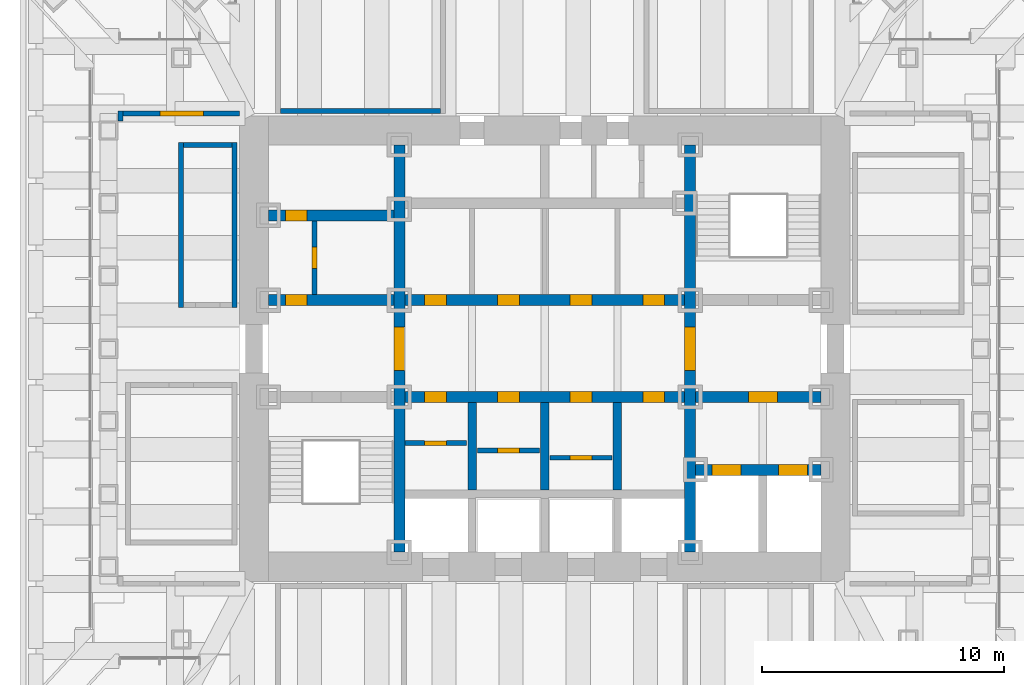
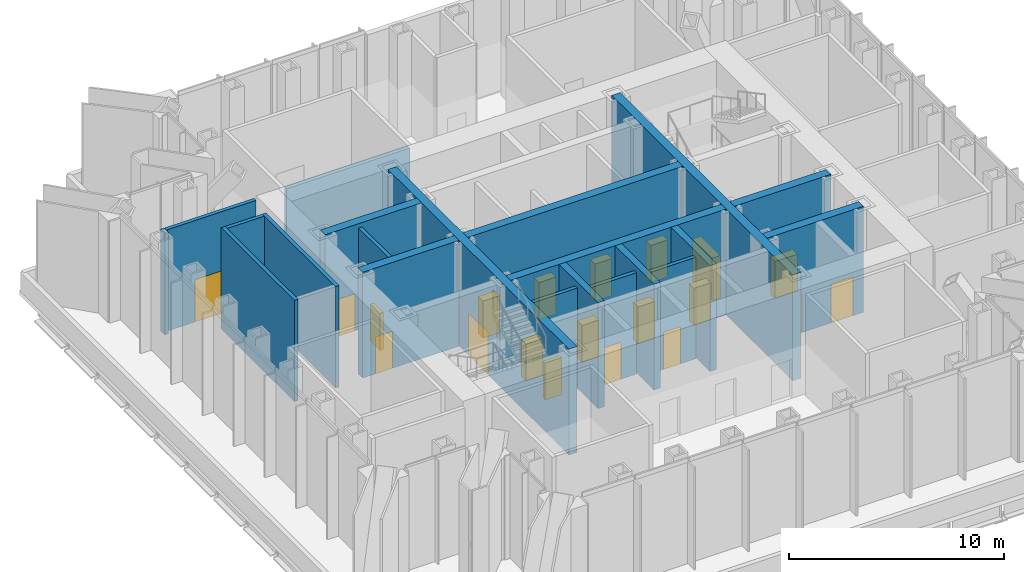
# One storey, part 9 of 13: 21 walls, 20 doors, 20 openings.
"""IFC4 building model written with IfcOpenShell, lengths in metres."""

from ifc_helpers import new_model, si_unit, direction, frame, frame_2d, origin, place, context, subcontext, project, spatial, rectangle, extrude, material, layer, layer_set, type_object, element, fill, save


model = new_model("IFC4")

# Units and contexts
model_context = context("Model", 3, precision=1e-05, world=origin(), true_north=direction((0.0, 1.0)))
body_context = subcontext(model_context, "Body", "Model", "MODEL_VIEW")
ifc_project = project(units=[si_unit("LENGTHUNIT", "METRE"), si_unit("AREAUNIT", "SQUARE_METRE"), si_unit("VOLUMEUNIT", "CUBIC_METRE"), si_unit("PLANEANGLEUNIT", "RADIAN"), si_unit("MASSUNIT", "GRAM", prefix="KILO")], contexts=[model_context])

# Site, building, storey
site_placement = place(None, origin())
site = spatial("IfcSite", under=ifc_project, at=site_placement, CompositionType="ELEMENT")
building_placement = place(site_placement, origin())
building = spatial("IfcBuilding", under=site, at=building_placement, Name="Daluyong Arena Tower", CompositionType="ELEMENT")
storey_placement = place(building_placement, frame((0.0, 0.0, 279.699951171875)))
storey = spatial("IfcBuildingStorey", under=building, at=storey_placement, Name="L63", CompositionType="ELEMENT", Elevation=279.699951171875)

# Wall, opening, door
ifc_material_1 = material(Name="Concrete fc' 45 MPa", Category="concrete")
ifc_layer_1 = layer(ifc_material_1, 0.449951171875)
ifc_layer_set_1 = layer_set([ifc_layer_1], Name="Concrete fc' 45 MPa")
wall_type_1 = type_object("IfcWallType", Name="Core inner wall 450", PredefinedType="SHEAR", material=ifc_layer_set_1)
wall_1_placement = place(storey_placement, frame((50.0, 71.60009765625, 0.0), z_axis=(0.0, 0.0, 1.0), x_axis=(0.0, 1.0, 0.0)))
wall_1 = element("IfcWall", 1, at=wall_1_placement, inside=storey, type_object=wall_type_1, Name="core inner wall at L63", PredefinedType="SHEAR", context=body_context, shape_type="SweptSolid", body=[
    extrude(rectangle(XDim=16.7998046875, YDim=0.449951171875, at=frame_2d((8.39990234375, 0.0))), origin(), (0.0, 0.0, 1.0), 6.0),
])
opening_1_placement = place(wall_1_placement, frame((7.5, 0.0, 0.0)))
opening_1 = element("IfcOpeningElement", 2, at=opening_1_placement, cuts=wall_1, Name="Opening 63023", PredefinedType="OPENING", context=body_context, shape_type="SweptSolid", body=[
    extrude(rectangle(XDim=1.800048828125, YDim=2.39990234375, at=frame_2d((0.89990234375, 1.199951171875))), frame((0.0, 0.23486328125, 0.0), z_axis=(0.0, -1.0, 0.0), x_axis=(1.0, 0.0, 0.0)), (0.0, 0.0, 1.0), 0.469970703125),
])
ifc_material_2 = material(Name="Steel door, fire rated", Category="steel")
door_type_1 = type_object("IfcDoorType", Name="Lift lobby opening door 1800", OperationType="DOUBLE_DOOR_SINGLE_SWING", PredefinedType="DOOR", material=ifc_material_2)
door_1_placement = place(opening_1_placement, origin())
door_1 = element("IfcDoor", 3, at=door_1_placement, inside=storey, type_object=door_type_1, Name="lift lobby door west 63023", OperationType="DOUBLE_DOOR_SINGLE_SWING", OverallHeight=2.39990234375, OverallWidth=1.800048828125, PredefinedType="DOOR", context=body_context, shape_type="SweptSolid", body=[
    extrude(rectangle(XDim=1.800048828125, YDim=2.39990234375, at=frame_2d((0.89990234375, 1.199951171875))), frame((0.0, 0.224609375, 0.0), z_axis=(0.0, -1.0, 0.0), x_axis=(1.0, 0.0, 0.0)), (0.0, 0.0, 1.0), 0.449462890625),
])
fill(opening_1, door_1)

wall_2_placement = place(storey_placement, frame((62.0, 71.60009765625, 0.0), z_axis=(0.0, 0.0, 1.0), x_axis=(0.0, 1.0, 0.0)))
wall_2 = element("IfcWall", 4, at=wall_2_placement, inside=storey, type_object=wall_type_1, Name="core inner wall at L63", PredefinedType="SHEAR", context=body_context, shape_type="SweptSolid", body=[
    extrude(rectangle(XDim=16.7998046875, YDim=0.449951171875, at=frame_2d((8.39990234375, 0.0))), origin(), (0.0, 0.0, 1.0), 6.0),
])
opening_2_placement = place(wall_2_placement, frame((7.5, 0.0, 0.0)))
opening_2 = element("IfcOpeningElement", 5, at=opening_2_placement, cuts=wall_2, Name="Opening 63024", PredefinedType="OPENING", context=body_context, shape_type="SweptSolid", body=[
    extrude(rectangle(XDim=1.800048828125, YDim=2.39990234375, at=frame_2d((0.89990234375, 1.199951171875))), frame((0.0, 0.23486328125, 0.0), z_axis=(0.0, -1.0, 0.0), x_axis=(1.0, 0.0, 0.0)), (0.0, 0.0, 1.0), 0.469970703125),
])
door_2_placement = place(opening_2_placement, origin())
door_2 = element("IfcDoor", 6, at=door_2_placement, inside=storey, type_object=door_type_1, Name="lift lobby door east 63024", OperationType="DOUBLE_DOOR_SINGLE_SWING", OverallHeight=2.39990234375, OverallWidth=1.800048828125, PredefinedType="DOOR", context=body_context, shape_type="SweptSolid", body=[
    extrude(rectangle(XDim=1.800048828125, YDim=2.39990234375, at=frame_2d((0.89990234375, 1.199951171875))), frame((0.0, 0.224609375, 0.0), z_axis=(0.0, -1.0, 0.0), x_axis=(1.0, 0.0, 0.0)), (0.0, 0.0, 1.0), 0.449462890625),
])
fill(opening_2, door_2)

wall_3_placement = place(storey_placement, frame((44.60009765625, 82.0, 0.0), z_axis=(0.0, 0.0, 1.0), x_axis=(1.0, 0.0, 0.0)))
wall_3 = element("IfcWall", 7, at=wall_3_placement, inside=storey, type_object=wall_type_1, Name="core inner wall at L63", PredefinedType="SHEAR", context=body_context, shape_type="SweptSolid", body=[
    extrude(rectangle(XDim=5.1748046875, YDim=0.449951171875, at=frame_2d((2.58740234375, 0.0))), origin(), (0.0, 0.0, 1.0), 6.0),
])
opening_3_placement = place(wall_3_placement, frame((0.699951171875, 0.0, 0.0)))
opening_3 = element("IfcOpeningElement", 8, at=opening_3_placement, cuts=wall_3, Name="Opening 63001", PredefinedType="OPENING", context=body_context, shape_type="SweptSolid", body=[
    extrude(rectangle(XDim=0.89990234375, YDim=2.10009765625, at=frame_2d((0.449951171875, 1.050048828125))), frame((0.0, 0.23486328125, 0.0), z_axis=(0.0, -1.0, 0.0), x_axis=(1.0, 0.0, 0.0)), (0.0, 0.0, 1.0), 0.469970703125),
])
ifc_material_3 = material(Name="Steel door, fire rated", Category="steel")
door_type_2 = type_object("IfcDoorType", Name="Core room door 900", OperationType="SINGLE_SWING_LEFT", PredefinedType="DOOR", material=ifc_material_3)
door_3_placement = place(opening_3_placement, origin())
door_3 = element("IfcDoor", 9, at=door_3_placement, inside=storey, type_object=door_type_2, Name="toilet lobby door 63001", OperationType="SINGLE_SWING_LEFT", OverallHeight=2.10009765625, OverallWidth=0.89990234375, PredefinedType="DOOR", context=body_context, shape_type="SweptSolid", body=[
    extrude(rectangle(XDim=0.89990234375, YDim=2.10009765625, at=frame_2d((0.449951171875, 1.050048828125))), frame((0.0, 0.224609375, 0.0), z_axis=(0.0, -1.0, 0.0), x_axis=(1.0, 0.0, 0.0)), (0.0, 0.0, 1.0), 0.449462890625),
])
fill(opening_3, door_3)

wall_4_placement = place(storey_placement, frame((44.60009765625, 85.5, 0.0), z_axis=(0.0, 0.0, 1.0), x_axis=(1.0, 0.0, 0.0)))
wall_4 = element("IfcWall", 10, at=wall_4_placement, inside=storey, type_object=wall_type_1, Name="core inner wall at L63", PredefinedType="SHEAR", context=body_context, shape_type="SweptSolid", body=[
    extrude(rectangle(XDim=5.1748046875, YDim=0.449951171875, at=frame_2d((2.58740234375, 0.0))), origin(), (0.0, 0.0, 1.0), 6.0),
])
opening_4_placement = place(wall_4_placement, frame((0.699951171875, 0.0, 0.0)))
opening_4 = element("IfcOpeningElement", 11, at=opening_4_placement, cuts=wall_4, Name="Opening 63003", PredefinedType="OPENING", context=body_context, shape_type="SweptSolid", body=[
    extrude(rectangle(XDim=0.89990234375, YDim=2.10009765625, at=frame_2d((0.449951171875, 1.050048828125))), frame((0.0, 0.23486328125, 0.0), z_axis=(0.0, -1.0, 0.0), x_axis=(1.0, 0.0, 0.0)), (0.0, 0.0, 1.0), 0.469970703125),
])
ifc_material_4 = material(Name="Timber door", Category="wood")
door_type_3 = type_object("IfcDoorType", Name="Toilet door 900", OperationType="SINGLE_SWING_RIGHT", PredefinedType="DOOR", material=ifc_material_4)
door_4_placement = place(opening_4_placement, origin())
door_4 = element("IfcDoor", 12, at=door_4_placement, inside=storey, type_object=door_type_3, Name="female toilet door 63003", OperationType="SINGLE_SWING_RIGHT", OverallHeight=2.10009765625, OverallWidth=0.89990234375, PredefinedType="DOOR", context=body_context, shape_type="SweptSolid", body=[
    extrude(rectangle(XDim=0.89990234375, YDim=2.10009765625, at=frame_2d((0.449951171875, 1.050048828125))), frame((0.0, 0.224609375, 0.0), z_axis=(0.0, -1.0, 0.0), x_axis=(1.0, 0.0, 0.0)), (0.0, 0.0, 1.0), 0.449462890625),
])
fill(opening_4, door_4)

# Wall, openings, doors
wall_5_placement = place(storey_placement, frame((62.22509765625, 75.0, 0.0), z_axis=(0.0, 0.0, 1.0), x_axis=(1.0, 0.0, 0.0)))
wall_5 = element("IfcWall", 13, at=wall_5_placement, inside=storey, type_object=wall_type_1, Name="core inner wall at L63", PredefinedType="SHEAR", context=body_context, shape_type="SweptSolid", body=[
    extrude(rectangle(XDim=5.1748046875, YDim=0.449951171875, at=frame_2d((2.58740234375, 0.0))), origin(), (0.0, 0.0, 1.0), 6.0),
])
opening_5_placement = place(wall_5_placement, frame((0.675048828125, 0.0, 0.0)))
opening_5 = element("IfcOpeningElement", 14, at=opening_5_placement, cuts=wall_5, Name="Opening 63030", PredefinedType="OPENING", context=body_context, shape_type="SweptSolid", body=[
    extrude(rectangle(XDim=1.199951171875, YDim=2.199951171875, at=frame_2d((0.60009765625, 1.10009765625))), frame((0.0, 0.23486328125, 0.0), z_axis=(0.0, -1.0, 0.0), x_axis=(1.0, 0.0, 0.0)), (0.0, 0.0, 1.0), 0.469970703125),
])
opening_6_placement = place(wall_5_placement, frame((3.425048828125, 0.0, 0.0)))
opening_6 = element("IfcOpeningElement", 15, at=opening_6_placement, cuts=wall_5, Name="Opening 63031", PredefinedType="OPENING", context=body_context, shape_type="SweptSolid", body=[
    extrude(rectangle(XDim=1.199951171875, YDim=2.199951171875, at=frame_2d((0.60009765625, 1.10009765625))), frame((0.0, 0.23486328125, 0.0), z_axis=(0.0, -1.0, 0.0), x_axis=(1.0, 0.0, 0.0)), (0.0, 0.0, 1.0), 0.469970703125),
])
ifc_material_5 = material(Name="Steel door, fire rated", Category="steel")
door_type_4 = type_object("IfcDoorType", Name="Firefighting lift landing door 1200", OperationType="SLIDING_TO_LEFT", PredefinedType="DOOR", material=ifc_material_5)
door_5_placement = place(opening_5_placement, origin())
door_5 = element("IfcDoor", 16, at=door_5_placement, inside=storey, type_object=door_type_4, Name="firefighting lift landing door F1 63030", OperationType="SLIDING_TO_LEFT", OverallHeight=2.199951171875, OverallWidth=1.199951171875, PredefinedType="DOOR", context=body_context, shape_type="SweptSolid", body=[
    extrude(rectangle(XDim=1.199951171875, YDim=2.199951171875, at=frame_2d((0.60009765625, 1.10009765625))), frame((0.0, 0.224609375, 0.0), z_axis=(0.0, -1.0, 0.0), x_axis=(1.0, 0.0, 0.0)), (0.0, 0.0, 1.0), 0.449462890625),
])
fill(opening_5, door_5)
door_6_placement = place(opening_6_placement, origin())
door_6 = element("IfcDoor", 17, at=door_6_placement, inside=storey, type_object=door_type_4, Name="firefighting lift landing door F2 63031", OperationType="SLIDING_TO_LEFT", OverallHeight=2.199951171875, OverallWidth=1.199951171875, PredefinedType="DOOR", context=body_context, shape_type="SweptSolid", body=[
    extrude(rectangle(XDim=1.199951171875, YDim=2.199951171875, at=frame_2d((0.60009765625, 1.10009765625))), frame((0.0, 0.224609375, 0.0), z_axis=(0.0, -1.0, 0.0), x_axis=(1.0, 0.0, 0.0)), (0.0, 0.0, 1.0), 0.449462890625),
])
fill(opening_6, door_6)

# Wall, opening, door
wall_6_placement = place(storey_placement, frame((62.22509765625, 78.0, 0.0), z_axis=(0.0, 0.0, 1.0), x_axis=(1.0, 0.0, 0.0)))
wall_6 = element("IfcWall", 18, at=wall_6_placement, inside=storey, type_object=wall_type_1, Name="core inner wall at L63", PredefinedType="SHEAR", context=body_context, shape_type="SweptSolid", body=[
    extrude(rectangle(XDim=5.1748046875, YDim=0.449951171875, at=frame_2d((2.58740234375, 0.0))), origin(), (0.0, 0.0, 1.0), 6.0),
])
opening_7_placement = place(wall_6_placement, frame((2.175048828125, 0.0, 0.0)))
opening_7 = element("IfcOpeningElement", 19, at=opening_7_placement, cuts=wall_6, Name="Opening 63025", PredefinedType="OPENING", context=body_context, shape_type="SweptSolid", body=[
    extrude(rectangle(XDim=1.199951171875, YDim=2.10009765625, at=frame_2d((0.60009765625, 1.050048828125))), frame((0.0, 0.23486328125, 0.0), z_axis=(0.0, -1.0, 0.0), x_axis=(1.0, 0.0, 0.0)), (0.0, 0.0, 1.0), 0.469970703125),
])
ifc_material_6 = material(Name="Steel door, fire rated", Category="steel")
door_type_5 = type_object("IfcDoorType", Name="Firefighting lobby door 1200", OperationType="SINGLE_SWING_RIGHT", PredefinedType="DOOR", material=ifc_material_6)
door_7_placement = place(opening_7_placement, origin())
door_7 = element("IfcDoor", 20, at=door_7_placement, inside=storey, type_object=door_type_5, Name="firefighting lobby door 63025", OperationType="SINGLE_SWING_RIGHT", OverallHeight=2.10009765625, OverallWidth=1.199951171875, PredefinedType="DOOR", context=body_context, shape_type="SweptSolid", body=[
    extrude(rectangle(XDim=1.199951171875, YDim=2.10009765625, at=frame_2d((0.60009765625, 1.050048828125))), frame((0.0, 0.224609375, 0.0), z_axis=(0.0, -1.0, 0.0), x_axis=(1.0, 0.0, 0.0)), (0.0, 0.0, 1.0), 0.449462890625),
])
fill(opening_7, door_7)

# Wall, openings, doors
wall_7_placement = place(storey_placement, frame((50.22509765625, 78.0, 0.0), z_axis=(0.0, 0.0, 1.0), x_axis=(1.0, 0.0, 0.0)))
wall_7 = element("IfcWall", 21, at=wall_7_placement, inside=storey, type_object=wall_type_1, Name="core inner wall at L63", PredefinedType="SHEAR", context=body_context, shape_type="SweptSolid", body=[
    extrude(rectangle(XDim=11.5498046875, YDim=0.449951171875, at=frame_2d((5.77490234375, 0.0))), origin(), (0.0, 0.0, 1.0), 6.0),
])
opening_8_placement = place(wall_7_placement, frame((0.824951171875, 0.0, 0.0)))
opening_8 = element("IfcOpeningElement", 22, at=opening_8_placement, cuts=wall_7, Name="Opening 63008", PredefinedType="OPENING", context=body_context, shape_type="SweptSolid", body=[
    extrude(rectangle(XDim=0.89990234375, YDim=2.10009765625, at=frame_2d((0.449951171875, 1.050048828125))), frame((0.0, 0.23486328125, 0.0), z_axis=(0.0, -1.0, 0.0), x_axis=(1.0, 0.0, 0.0)), (0.0, 0.0, 1.0), 0.469970703125),
])
opening_9_placement = place(wall_7_placement, frame((3.824951171875, 0.0, 0.0)))
opening_9 = element("IfcOpeningElement", 23, at=opening_9_placement, cuts=wall_7, Name="Opening 63010", PredefinedType="OPENING", context=body_context, shape_type="SweptSolid", body=[
    extrude(rectangle(XDim=0.89990234375, YDim=2.10009765625, at=frame_2d((0.449951171875, 1.050048828125))), frame((0.0, 0.23486328125, 0.0), z_axis=(0.0, -1.0, 0.0), x_axis=(1.0, 0.0, 0.0)), (0.0, 0.0, 1.0), 0.469970703125),
])
opening_10_placement = place(wall_7_placement, frame((6.824951171875, 0.0, 0.0)))
opening_10 = element("IfcOpeningElement", 24, at=opening_10_placement, cuts=wall_7, Name="Opening 63012", PredefinedType="OPENING", context=body_context, shape_type="SweptSolid", body=[
    extrude(rectangle(XDim=0.89990234375, YDim=2.10009765625, at=frame_2d((0.449951171875, 1.050048828125))), frame((0.0, 0.23486328125, 0.0), z_axis=(0.0, -1.0, 0.0), x_axis=(1.0, 0.0, 0.0)), (0.0, 0.0, 1.0), 0.469970703125),
])
opening_11_placement = place(wall_7_placement, frame((9.824951171875, 0.0, 0.0)))
opening_11 = element("IfcOpeningElement", 25, at=opening_11_placement, cuts=wall_7, Name="Opening 63014", PredefinedType="OPENING", context=body_context, shape_type="SweptSolid", body=[
    extrude(rectangle(XDim=0.89990234375, YDim=2.10009765625, at=frame_2d((0.449951171875, 1.050048828125))), frame((0.0, 0.23486328125, 0.0), z_axis=(0.0, -1.0, 0.0), x_axis=(1.0, 0.0, 0.0)), (0.0, 0.0, 1.0), 0.469970703125),
])
door_8_placement = place(opening_11_placement, origin())
door_8 = element("IfcDoor", 26, at=door_8_placement, inside=storey, type_object=door_type_2, Name="parcel room door 63014", OperationType="SINGLE_SWING_LEFT", OverallHeight=2.10009765625, OverallWidth=0.89990234375, PredefinedType="DOOR", context=body_context, shape_type="SweptSolid", body=[
    extrude(rectangle(XDim=0.89990234375, YDim=2.10009765625, at=frame_2d((0.449951171875, 1.050048828125))), frame((0.0, 0.224609375, 0.0), z_axis=(0.0, -1.0, 0.0), x_axis=(1.0, 0.0, 0.0)), (0.0, 0.0, 1.0), 0.449462890625),
])
fill(opening_11, door_8)
ifc_material_7 = material(Name="Steel door, fire rated", Category="steel")
door_type_6 = type_object("IfcDoorType", Name="Core store door 900", OperationType="SINGLE_SWING_LEFT", PredefinedType="DOOR", material=ifc_material_7)
door_9_placement = place(opening_8_placement, origin())
door_9 = element("IfcDoor", 27, at=door_9_placement, inside=storey, type_object=door_type_6, Name="cleaner's store door 63008", OperationType="SINGLE_SWING_LEFT", OverallHeight=2.10009765625, OverallWidth=0.89990234375, PredefinedType="DOOR", context=body_context, shape_type="SweptSolid", body=[
    extrude(rectangle(XDim=0.89990234375, YDim=2.10009765625, at=frame_2d((0.449951171875, 1.050048828125))), frame((0.0, 0.224609375, 0.0), z_axis=(0.0, -1.0, 0.0), x_axis=(1.0, 0.0, 0.0)), (0.0, 0.0, 1.0), 0.449462890625),
])
fill(opening_8, door_9)
door_10_placement = place(opening_9_placement, origin())
door_10 = element("IfcDoor", 28, at=door_10_placement, inside=storey, type_object=door_type_6, Name="stationery store door 63010", OperationType="SINGLE_SWING_LEFT", OverallHeight=2.10009765625, OverallWidth=0.89990234375, PredefinedType="DOOR", context=body_context, shape_type="SweptSolid", body=[
    extrude(rectangle(XDim=0.89990234375, YDim=2.10009765625, at=frame_2d((0.449951171875, 1.050048828125))), frame((0.0, 0.224609375, 0.0), z_axis=(0.0, -1.0, 0.0), x_axis=(1.0, 0.0, 0.0)), (0.0, 0.0, 1.0), 0.449462890625),
])
fill(opening_9, door_10)
door_11_placement = place(opening_10_placement, origin())
door_11 = element("IfcDoor", 29, at=door_11_placement, inside=storey, type_object=door_type_6, Name="tenant store door 63012", OperationType="SINGLE_SWING_LEFT", OverallHeight=2.10009765625, OverallWidth=0.89990234375, PredefinedType="DOOR", context=body_context, shape_type="SweptSolid", body=[
    extrude(rectangle(XDim=0.89990234375, YDim=2.10009765625, at=frame_2d((0.449951171875, 1.050048828125))), frame((0.0, 0.224609375, 0.0), z_axis=(0.0, -1.0, 0.0), x_axis=(1.0, 0.0, 0.0)), (0.0, 0.0, 1.0), 0.449462890625),
])
fill(opening_10, door_11)

wall_8_placement = place(storey_placement, frame((50.22509765625, 82.0, 0.0), z_axis=(0.0, 0.0, 1.0), x_axis=(1.0, 0.0, 0.0)))
wall_8 = element("IfcWall", 30, at=wall_8_placement, inside=storey, type_object=wall_type_1, Name="core inner wall at L63", PredefinedType="SHEAR", context=body_context, shape_type="SweptSolid", body=[
    extrude(rectangle(XDim=11.5498046875, YDim=0.449951171875, at=frame_2d((5.77490234375, 0.0))), origin(), (0.0, 0.0, 1.0), 6.0),
])
opening_12_placement = place(wall_8_placement, frame((0.824951171875, 0.0, 0.0)))
opening_12 = element("IfcOpeningElement", 31, at=opening_12_placement, cuts=wall_8, Name="Opening 63015", PredefinedType="OPENING", context=body_context, shape_type="SweptSolid", body=[
    extrude(rectangle(XDim=0.89990234375, YDim=2.10009765625, at=frame_2d((0.449951171875, 1.050048828125))), frame((0.0, 0.23486328125, 0.0), z_axis=(0.0, -1.0, 0.0), x_axis=(1.0, 0.0, 0.0)), (0.0, 0.0, 1.0), 0.469970703125),
])
opening_13_placement = place(wall_8_placement, frame((3.824951171875, 0.0, 0.0)))
opening_13 = element("IfcOpeningElement", 32, at=opening_13_placement, cuts=wall_8, Name="Opening 63016", PredefinedType="OPENING", context=body_context, shape_type="SweptSolid", body=[
    extrude(rectangle(XDim=0.89990234375, YDim=2.10009765625, at=frame_2d((0.449951171875, 1.050048828125))), frame((0.0, 0.23486328125, 0.0), z_axis=(0.0, -1.0, 0.0), x_axis=(1.0, 0.0, 0.0)), (0.0, 0.0, 1.0), 0.469970703125),
])
opening_14_placement = place(wall_8_placement, frame((6.824951171875, 0.0, 0.0)))
opening_14 = element("IfcOpeningElement", 33, at=opening_14_placement, cuts=wall_8, Name="Opening 63017", PredefinedType="OPENING", context=body_context, shape_type="SweptSolid", body=[
    extrude(rectangle(XDim=0.89990234375, YDim=2.10009765625, at=frame_2d((0.449951171875, 1.050048828125))), frame((0.0, 0.23486328125, 0.0), z_axis=(0.0, -1.0, 0.0), x_axis=(1.0, 0.0, 0.0)), (0.0, 0.0, 1.0), 0.469970703125),
])
opening_15_placement = place(wall_8_placement, frame((9.824951171875, 0.0, 0.0)))
opening_15 = element("IfcOpeningElement", 34, at=opening_15_placement, cuts=wall_8, Name="Opening 63018", PredefinedType="OPENING", context=body_context, shape_type="SweptSolid", body=[
    extrude(rectangle(XDim=0.89990234375, YDim=2.10009765625, at=frame_2d((0.449951171875, 1.050048828125))), frame((0.0, 0.23486328125, 0.0), z_axis=(0.0, -1.0, 0.0), x_axis=(1.0, 0.0, 0.0)), (0.0, 0.0, 1.0), 0.469970703125),
])
door_12_placement = place(opening_13_placement, origin())
door_12 = element("IfcDoor", 35, at=door_12_placement, inside=storey, type_object=door_type_2, Name="tea point door 63016", OperationType="SINGLE_SWING_LEFT", OverallHeight=2.10009765625, OverallWidth=0.89990234375, PredefinedType="DOOR", context=body_context, shape_type="SweptSolid", body=[
    extrude(rectangle(XDim=0.89990234375, YDim=2.10009765625, at=frame_2d((0.449951171875, 1.050048828125))), frame((0.0, 0.224609375, 0.0), z_axis=(0.0, -1.0, 0.0), x_axis=(1.0, 0.0, 0.0)), (0.0, 0.0, 1.0), 0.449462890625),
])
fill(opening_13, door_12)
door_13_placement = place(opening_14_placement, origin())
door_13 = element("IfcDoor", 36, at=door_13_placement, inside=storey, type_object=door_type_2, Name="vending room door 63017", OperationType="SINGLE_SWING_LEFT", OverallHeight=2.10009765625, OverallWidth=0.89990234375, PredefinedType="DOOR", context=body_context, shape_type="SweptSolid", body=[
    extrude(rectangle(XDim=0.89990234375, YDim=2.10009765625, at=frame_2d((0.449951171875, 1.050048828125))), frame((0.0, 0.224609375, 0.0), z_axis=(0.0, -1.0, 0.0), x_axis=(1.0, 0.0, 0.0)), (0.0, 0.0, 1.0), 0.449462890625),
])
fill(opening_14, door_13)
door_14_placement = place(opening_15_placement, origin())
door_14 = element("IfcDoor", 37, at=door_14_placement, inside=storey, type_object=door_type_6, Name="facilities store door 63018", OperationType="SINGLE_SWING_LEFT", OverallHeight=2.10009765625, OverallWidth=0.89990234375, PredefinedType="DOOR", context=body_context, shape_type="SweptSolid", body=[
    extrude(rectangle(XDim=0.89990234375, YDim=2.10009765625, at=frame_2d((0.449951171875, 1.050048828125))), frame((0.0, 0.224609375, 0.0), z_axis=(0.0, -1.0, 0.0), x_axis=(1.0, 0.0, 0.0)), (0.0, 0.0, 1.0), 0.449462890625),
])
fill(opening_15, door_14)
ifc_material_8 = material(Name="Steel door, fire rated", Category="steel")
door_type_7 = type_object("IfcDoorType", Name="Plant room door 900", OperationType="SINGLE_SWING_LEFT", PredefinedType="DOOR", material=ifc_material_8)
door_15_placement = place(opening_12_placement, origin())
door_15 = element("IfcDoor", 38, at=door_15_placement, inside=storey, type_object=door_type_7, Name="comms room door 63015", OperationType="SINGLE_SWING_LEFT", OverallHeight=2.10009765625, OverallWidth=0.89990234375, PredefinedType="DOOR", context=body_context, shape_type="SweptSolid", body=[
    extrude(rectangle(XDim=0.89990234375, YDim=2.10009765625, at=frame_2d((0.449951171875, 1.050048828125))), frame((0.0, 0.224609375, 0.0), z_axis=(0.0, -1.0, 0.0), x_axis=(1.0, 0.0, 0.0)), (0.0, 0.0, 1.0), 0.449462890625),
])
fill(opening_12, door_15)

# Wall, opening, door
ifc_material_9 = material(Name="Concrete block partition, fire rated", Category="concrete")
ifc_layer_2 = layer(ifc_material_9, 0.199951171875)
ifc_layer_set_2 = layer_set([ifc_layer_2], Name="Concrete block partition, fire rated")
wall_type_2 = type_object("IfcWallType", Name="Fire-rated partition 200", PredefinedType="PARTITIONING", material=ifc_layer_set_2)
wall_9_placement = place(storey_placement, frame((46.5, 82.22509765625, 0.0), z_axis=(0.0, 0.0, 1.0), x_axis=(0.0, 1.0, 0.0)))
wall_9 = element("IfcWall", 39, at=wall_9_placement, inside=storey, type_object=wall_type_2, Name="toilet lobby partition at L63", PredefinedType="PARTITIONING", context=body_context, shape_type="SweptSolid", body=[
    extrude(rectangle(XDim=3.0498046875, YDim=0.199951171875, at=frame_2d((1.52490234375, 0.0))), origin(), (0.0, 0.0, 1.0), 5.75),
])
opening_16_placement = place(wall_9_placement, frame((1.074951171875, 0.0, 0.0)))
opening_16 = element("IfcOpeningElement", 40, at=opening_16_placement, cuts=wall_9, Name="Opening 63002", PredefinedType="OPENING", context=body_context, shape_type="SweptSolid", body=[
    extrude(rectangle(XDim=0.89990234375, YDim=2.10009765625, at=frame_2d((0.449951171875, 1.050048828125))), frame((0.0, 0.10986328125, 0.0), z_axis=(0.0, -1.0, 0.0), x_axis=(1.0, 0.0, 0.0)), (0.0, 0.0, 1.0), 0.219970703125),
])
door_16_placement = place(opening_16_placement, origin())
door_16 = element("IfcDoor", 41, at=door_16_placement, inside=storey, type_object=door_type_3, Name="male toilet door 63002", OperationType="SINGLE_SWING_RIGHT", OverallHeight=2.10009765625, OverallWidth=0.89990234375, PredefinedType="DOOR", context=body_context, shape_type="SweptSolid", body=[
    extrude(rectangle(XDim=0.89990234375, YDim=2.10009765625, at=frame_2d((0.449951171875, 1.050048828125))), frame((0.0, 0.099609375, 0.0), z_axis=(0.0, -1.0, 0.0), x_axis=(1.0, 0.0, 0.0)), (0.0, 0.0, 1.0), 0.199462890625),
])
fill(opening_16, door_16)

wall_10_placement = place(storey_placement, frame((50.22509765625, 76.10009765625, 0.0), z_axis=(0.0, 0.0, 1.0), x_axis=(1.0, 0.0, 0.0)))
wall_10 = element("IfcWall", 42, at=wall_10_placement, inside=storey, type_object=wall_type_2, Name="back store partition at L63", PredefinedType="PARTITIONING", context=body_context, shape_type="SweptSolid", body=[
    extrude(rectangle(XDim=2.5498046875, YDim=0.199951171875, at=frame_2d((1.27490234375, 0.0))), origin(), (0.0, 0.0, 1.0), 5.75),
])
opening_17_placement = place(wall_10_placement, frame((0.824951171875, 0.0, 0.0)))
opening_17 = element("IfcOpeningElement", 43, at=opening_17_placement, cuts=wall_10, Name="Opening 63009", PredefinedType="OPENING", context=body_context, shape_type="SweptSolid", body=[
    extrude(rectangle(XDim=0.89990234375, YDim=2.10009765625, at=frame_2d((0.449951171875, 1.050048828125))), frame((0.0, 0.10986328125, 0.0), z_axis=(0.0, -1.0, 0.0), x_axis=(1.0, 0.0, 0.0)), (0.0, 0.0, 1.0), 0.219970703125),
])
door_17_placement = place(opening_17_placement, origin())
door_17 = element("IfcDoor", 44, at=door_17_placement, inside=storey, type_object=door_type_6, Name="archive store door 63009", OperationType="SINGLE_SWING_LEFT", OverallHeight=2.10009765625, OverallWidth=0.89990234375, PredefinedType="DOOR", context=body_context, shape_type="SweptSolid", body=[
    extrude(rectangle(XDim=0.89990234375, YDim=2.10009765625, at=frame_2d((0.449951171875, 1.050048828125))), frame((0.0, 0.099609375, 0.0), z_axis=(0.0, -1.0, 0.0), x_axis=(1.0, 0.0, 0.0)), (0.0, 0.0, 1.0), 0.199462890625),
])
fill(opening_17, door_17)

wall_11_placement = place(storey_placement, frame((53.22509765625, 75.800048828125, 0.0), z_axis=(0.0, 0.0, 1.0), x_axis=(1.0, 0.0, 0.0)))
wall_11 = element("IfcWall", 45, at=wall_11_placement, inside=storey, type_object=wall_type_2, Name="back store partition at L63", PredefinedType="PARTITIONING", context=body_context, shape_type="SweptSolid", body=[
    extrude(rectangle(XDim=2.5498046875, YDim=0.199951171875, at=frame_2d((1.27490234375, 0.0))), origin(), (0.0, 0.0, 1.0), 5.75),
])
opening_18_placement = place(wall_11_placement, frame((0.824951171875, 0.0, 0.0)))
opening_18 = element("IfcOpeningElement", 46, at=opening_18_placement, cuts=wall_11, Name="Opening 63011", PredefinedType="OPENING", context=body_context, shape_type="SweptSolid", body=[
    extrude(rectangle(XDim=0.89990234375, YDim=2.10009765625, at=frame_2d((0.449951171875, 1.050048828125))), frame((0.0, 0.10986328125, 0.0), z_axis=(0.0, -1.0, 0.0), x_axis=(1.0, 0.0, 0.0)), (0.0, 0.0, 1.0), 0.219970703125),
])
door_18_placement = place(opening_18_placement, origin())
door_18 = element("IfcDoor", 47, at=door_18_placement, inside=storey, type_object=door_type_6, Name="records store door 63011", OperationType="SINGLE_SWING_LEFT", OverallHeight=2.10009765625, OverallWidth=0.89990234375, PredefinedType="DOOR", context=body_context, shape_type="SweptSolid", body=[
    extrude(rectangle(XDim=0.89990234375, YDim=2.10009765625, at=frame_2d((0.449951171875, 1.050048828125))), frame((0.0, 0.099609375, 0.0), z_axis=(0.0, -1.0, 0.0), x_axis=(1.0, 0.0, 0.0)), (0.0, 0.0, 1.0), 0.199462890625),
])
fill(opening_18, door_18)

wall_12_placement = place(storey_placement, frame((56.22509765625, 75.5, 0.0), z_axis=(0.0, 0.0, 1.0), x_axis=(1.0, 0.0, 0.0)))
wall_12 = element("IfcWall", 48, at=wall_12_placement, inside=storey, type_object=wall_type_2, Name="back store partition at L63", PredefinedType="PARTITIONING", context=body_context, shape_type="SweptSolid", body=[
    extrude(rectangle(XDim=2.5498046875, YDim=0.199951171875, at=frame_2d((1.27490234375, 0.0))), origin(), (0.0, 0.0, 1.0), 5.75),
])
opening_19_placement = place(wall_12_placement, frame((0.824951171875, 0.0, 0.0)))
opening_19 = element("IfcOpeningElement", 49, at=opening_19_placement, cuts=wall_12, Name="Opening 63013", PredefinedType="OPENING", context=body_context, shape_type="SweptSolid", body=[
    extrude(rectangle(XDim=0.89990234375, YDim=2.10009765625, at=frame_2d((0.449951171875, 1.050048828125))), frame((0.0, 0.10986328125, 0.0), z_axis=(0.0, -1.0, 0.0), x_axis=(1.0, 0.0, 0.0)), (0.0, 0.0, 1.0), 0.219970703125),
])
door_19_placement = place(opening_19_placement, origin())
door_19 = element("IfcDoor", 50, at=door_19_placement, inside=storey, type_object=door_type_6, Name="equipment store door 63013", OperationType="SINGLE_SWING_LEFT", OverallHeight=2.10009765625, OverallWidth=0.89990234375, PredefinedType="DOOR", context=body_context, shape_type="SweptSolid", body=[
    extrude(rectangle(XDim=0.89990234375, YDim=2.10009765625, at=frame_2d((0.449951171875, 1.050048828125))), frame((0.0, 0.099609375, 0.0), z_axis=(0.0, -1.0, 0.0), x_axis=(1.0, 0.0, 0.0)), (0.0, 0.0, 1.0), 0.199462890625),
])
fill(opening_19, door_19)

# Walls
wall_13_placement = place(storey_placement, frame((45.10009765625, 89.800048828125, 0.0), z_axis=(0.0, 0.0, 1.0), x_axis=(1.0, 0.0, 0.0)))
element("IfcWall", 51, at=wall_13_placement, inside=storey, type_object=wall_type_2, Name="plant room partition at L63", PredefinedType="PARTITIONING", context=body_context, shape_type="SweptSolid", body=[
    extrude(rectangle(XDim=6.599853515625, YDim=0.199951171875, at=frame_2d((3.2998046875, 0.0))), origin(), (0.0, 0.0, 1.0), 5.75),
])
ifc_material_10 = material(Name="Concrete fc' 45 MPa", Category="concrete")
ifc_layer_3 = layer(ifc_material_10, 0.35009765625)
ifc_layer_set_3 = layer_set([ifc_layer_3], Name="Concrete fc' 45 MPa")
wall_type_3 = type_object("IfcWallType", Name="Lift shaft wall 350", PredefinedType="SHEAR", material=ifc_layer_set_3)
for number, where, z_axis, x_axis, name in (
    (52, (53.0, 74.175048828125, 0.0), (0.0, 0.0, 1.0), (0.0, 1.0, 0.0), "lift shaft wall at L63"),
    (53, (56.0, 74.175048828125, 0.0), (0.0, 0.0, 1.0), (0.0, 1.0, 0.0), "lift shaft wall at L63"),
    (54, (59.0, 74.175048828125, 0.0), (0.0, 0.0, 1.0), (0.0, 1.0, 0.0), "lift shaft wall at L63"),
):
    element("IfcWall", number, at=place(storey_placement, frame(where, z_axis=z_axis, x_axis=x_axis)), inside=storey, type_object=wall_type_3, Name=name, PredefinedType="SHEAR", context=body_context, shape_type="SweptSolid", body=[
        extrude(rectangle(XDim=3.599853515625, YDim=0.35009765625, at=frame_2d((1.7998046875, 0.0))), origin(), (0.0, 0.0, 1.0), 6.0),
    ])
ifc_material_11 = material(Name="Concrete block partition", Category="concrete")
ifc_layer_4 = layer(ifc_material_11, 0.199951171875)
ifc_layer_set_4 = layer_set([ifc_layer_4], Name="Concrete block partition")
wall_type_4 = type_object("IfcWallType", Name="Partition 200", PredefinedType="PARTITIONING", material=ifc_layer_set_4)
for number, where, z_axis, x_axis, name in (
    (55, (41.0, 81.699951171875, 0.0), (0.0, 0.0, 1.0), (0.0, 1.0, 0.0), "deck store partition at L63"),
    (56, (43.199951171875, 81.699951171875, 0.0), (0.0, 0.0, 1.0), (0.0, 1.0, 0.0), "deck store partition at L63"),
):
    element("IfcWall", number, at=place(storey_placement, frame(where, z_axis=z_axis, x_axis=x_axis)), inside=storey, type_object=wall_type_4, Name=name, PredefinedType="PARTITIONING", context=body_context, shape_type="SweptSolid", body=[
        extrude(rectangle(XDim=6.800048828125, YDim=0.199951171875, at=frame_2d((3.39990234375, 0.0))), origin(), (0.0, 0.0, 1.0), 5.75),
    ])
wall_14_placement = place(storey_placement, frame((41.10009765625, 88.39990234375, 0.0), z_axis=(0.0, 0.0, 1.0), x_axis=(1.0, 0.0, 0.0)))
element("IfcWall", 57, at=wall_14_placement, inside=storey, type_object=wall_type_4, Name="deck store partition at L63", PredefinedType="PARTITIONING", context=body_context, shape_type="SweptSolid", body=[
    extrude(rectangle(XDim=2.0, YDim=0.199951171875, at=frame_2d((1.0, 0.0))), origin(), (0.0, 0.0, 1.0), 5.75),
])

# Wall, opening, door
wall_15_placement = place(storey_placement, frame((38.60009765625, 89.699951171875, 0.0), z_axis=(0.0, 0.0, 1.0), x_axis=(1.0, 0.0, 0.0)))
wall_15 = element("IfcWall", 58, at=wall_15_placement, inside=storey, type_object=wall_type_4, Name="deck partition at L63", PredefinedType="PARTITIONING", context=body_context, shape_type="SweptSolid", body=[
    extrude(rectangle(XDim=4.7998046875, YDim=0.199951171875, at=frame_2d((2.39990234375, 0.0))), origin(), (0.0, 0.0, 1.0), 5.75),
])
opening_20_placement = place(wall_15_placement, frame((1.52490234375, 0.0, 0.0)))
opening_20 = element("IfcOpeningElement", 59, at=opening_20_placement, cuts=wall_15, Name="Opening 63042", PredefinedType="OPENING", context=body_context, shape_type="SweptSolid", body=[
    extrude(rectangle(XDim=1.800048828125, YDim=2.39990234375, at=frame_2d((0.89990234375, 1.199951171875))), frame((0.0, 0.10986328125, 0.0), z_axis=(0.0, -1.0, 0.0), x_axis=(1.0, 0.0, 0.0)), (0.0, 0.0, 1.0), 0.219970703125),
])
ifc_material_12 = material(Name="Timber door", Category="wood")
door_type_8 = type_object("IfcDoorType", Name="Assembly double door 1800", OperationType="DOUBLE_DOOR_DOUBLE_SWING", PredefinedType="DOOR", material=ifc_material_12)
door_20_placement = place(opening_20_placement, origin())
door_20 = element("IfcDoor", 60, at=door_20_placement, inside=storey, type_object=door_type_8, Name="deck cafe door west 63042", OperationType="DOUBLE_DOOR_DOUBLE_SWING", OverallHeight=2.39990234375, OverallWidth=1.800048828125, PredefinedType="DOOR", context=body_context, shape_type="SweptSolid", body=[
    extrude(rectangle(XDim=1.800048828125, YDim=2.39990234375, at=frame_2d((0.89990234375, 1.199951171875))), frame((0.0, 0.099609375, 0.0), z_axis=(0.0, -1.0, 0.0), x_axis=(1.0, 0.0, 0.0)), (0.0, 0.0, 1.0), 0.199462890625),
])
fill(opening_20, door_20)

# Wall
wall_16_placement = place(storey_placement, frame((38.5, 89.800048828125, 0.0), z_axis=(0.0, 0.0, 1.0), x_axis=(0.0, -1.0, 0.0)))
element("IfcWall", 61, at=wall_16_placement, inside=storey, type_object=wall_type_4, Name="deck partition return at L63", PredefinedType="PARTITIONING", context=body_context, shape_type="SweptSolid", body=[
    extrude(rectangle(XDim=0.400146484375, YDim=0.199951171875, at=frame_2d((0.2001953125, 0.0))), origin(), (0.0, 0.0, 1.0), 5.75),
])

save(model, "model.ifc")
